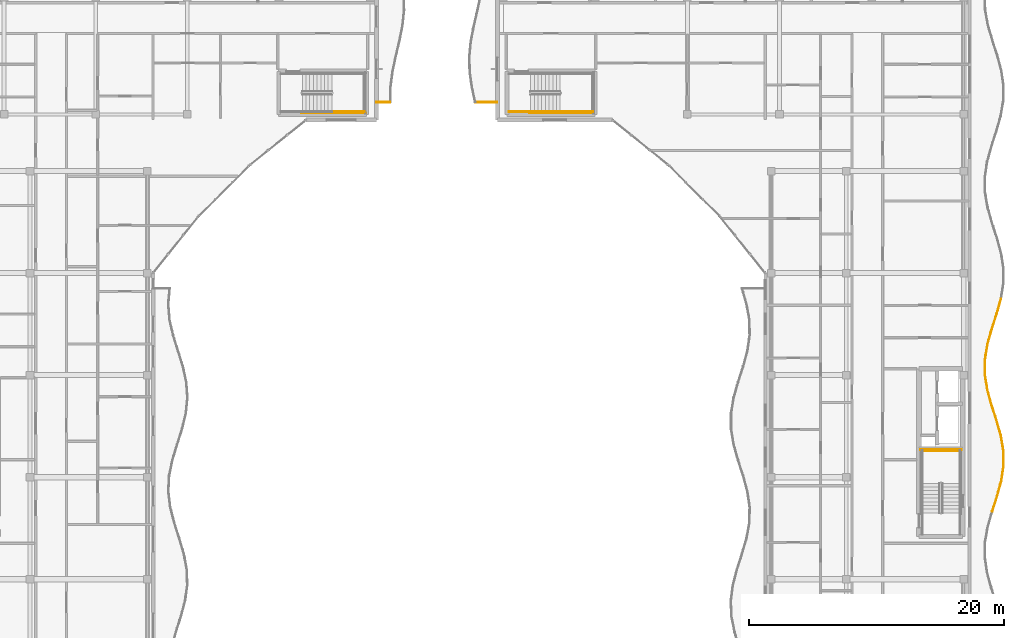
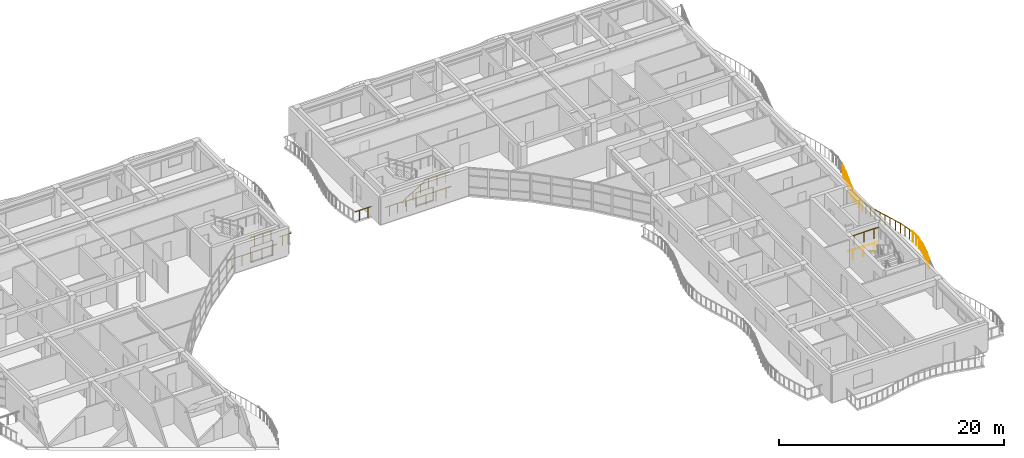
# One storey, part 72 of 76: 24 railings.
"""IFC4 building model written with IfcOpenShell, lengths in metres."""

from ifc_helpers import new_model, si_unit, direction, frame, origin, origin_2d, place, context, subcontext, project, spatial, circle, extrude, material, type_object, element, save


model = new_model("IFC4")

# Units and contexts
model_context = context("Model", 3, precision=1e-05, world=origin(), true_north=direction((0.0, 1.0)))
body_context = subcontext(model_context, "Body", "Model", "MODEL_VIEW")
ifc_project = project(units=[si_unit("LENGTHUNIT", "METRE"), si_unit("AREAUNIT", "SQUARE_METRE"), si_unit("VOLUMEUNIT", "CUBIC_METRE"), si_unit("PLANEANGLEUNIT", "RADIAN"), si_unit("MASSUNIT", "GRAM", prefix="KILO")], contexts=[model_context])

# Site, building, storey
site_placement = place(None, origin())
site = spatial("IfcSite", under=ifc_project, at=site_placement, CompositionType="ELEMENT")
building_placement = place(site_placement, origin())
building = spatial("IfcBuilding", under=site, at=building_placement, Name="Keldmere Railside Commons", CompositionType="ELEMENT")
storey_placement = place(building_placement, frame((0.0, 0.0, 13.760009765625)))
storey = spatial("IfcBuildingStorey", under=building, at=storey_placement, Name="L04", CompositionType="ELEMENT", Elevation=13.760009765625)

# Railings
ifc_material = material(Name="Steel F-24 (S235)", Category="steel")
railing_type_1 = type_object("IfcRailingType", Name="Balcony & Terrace Steel Balustrade 1100", PredefinedType="BALUSTRADE", material=ifc_material)
railing_1_placement = place(storey_placement, frame((137.5, 101.39990234375, 0.0)))
element("IfcRailing", 1, at=railing_1_placement, inside=storey, type_object=railing_type_1, Name="GR-1 GRD-L04-2329", PredefinedType="BALUSTRADE", context=body_context, shape_type="SweptSolid", body=[
    extrude(circle(Radius=0.02392578125, at=origin_2d()), frame((0.0, 0.0, 1.076171875), z_axis=(1.0, 0.0, 0.0), x_axis=(0.0, 1.0, 0.0)), (0.0, 0.0, 1.0), 1.1123046875),
    extrude(circle(Radius=0.02099609375, at=origin_2d()), frame((0.278076171875, 0.0, 0.0)), (0.0, 0.0, 1.0), 1.048095703125),
    extrude(circle(Radius=0.02099609375, at=origin_2d()), frame((0.834228515625, 0.0, 0.0)), (0.0, 0.0, 1.0), 1.048095703125),
])
railing_2_placement = place(storey_placement, frame((185.788818359375, 69.316650390625, 0.0)))
element("IfcRailing", 2, at=railing_2_placement, inside=storey, type_object=railing_type_1, Name="GR-1 GRD-L04-3623", PredefinedType="BALUSTRADE", context=body_context, shape_type="SweptSolid", body=[
    extrude(circle(Radius=0.02392578125, at=origin_2d()), frame((0.0, 0.0, 1.076171875), z_axis=(0.307441346299, 0.951567033154, 0.0), x_axis=(-0.951567033154, 0.307441346299, 0.0)), (0.0, 0.0, 1.0), 1.252197265625),
    extrude(circle(Radius=0.02099609375, at=origin_2d()), frame((0.09619140625, 0.2978515625, 0.0)), (0.0, 0.0, 1.0), 1.048095703125),
    extrude(circle(Radius=0.02099609375, at=origin_2d()), frame((0.288818359375, 0.893798828125, 0.0)), (0.0, 0.0, 1.0), 1.048095703125),
])
railing_3_placement = place(storey_placement, frame((186.173828125, 70.50830078125, 0.0)))
element("IfcRailing", 3, at=railing_3_placement, inside=storey, type_object=railing_type_1, Name="GR-1 GRD-L04-3624", PredefinedType="BALUSTRADE", context=body_context, shape_type="SweptSolid", body=[
    extrude(circle(Radius=0.02392578125, at=origin_2d()), frame((0.0, 0.0, 1.076171875), z_axis=(0.264003487981, 0.964521725175, 0.0), x_axis=(-0.964521725175, 0.264003487981, 0.0)), (0.0, 0.0, 1.0), 1.235595703125),
    extrude(circle(Radius=0.02099609375, at=origin_2d()), frame((0.08154296875, 0.2978515625, 0.0)), (0.0, 0.0, 1.0), 1.048095703125),
    extrude(circle(Radius=0.02099609375, at=origin_2d()), frame((0.24462890625, 0.893798828125, 0.0)), (0.0, 0.0, 1.0), 1.048095703125),
])
railing_4_placement = place(storey_placement, frame((186.5, 71.699951171875, 0.0)))
element("IfcRailing", 4, at=railing_4_placement, inside=storey, type_object=railing_type_1, Name="GR-1 GRD-L04-3625", PredefinedType="BALUSTRADE", context=body_context, shape_type="SweptSolid", body=[
    extrude(circle(Radius=0.02392578125, at=origin_2d()), frame((0.0, 0.0, 1.076171875), z_axis=(0.149895385862, 0.988701862695, 0.0), x_axis=(-0.988701862695, 0.149895385862, 0.0)), (0.0, 0.0, 1.0), 1.205322265625),
    extrude(circle(Radius=0.02099609375, at=origin_2d()), frame((0.045166015625, 0.2978515625, 0.0)), (0.0, 0.0, 1.0), 1.048095703125),
    extrude(circle(Radius=0.02099609375, at=origin_2d()), frame((0.135498046875, 0.893798828125, 0.0)), (0.0, 0.0, 1.0), 1.048095703125),
])
railing_5_placement = place(storey_placement, frame((186.6806640625, 72.8916015625, 0.0)))
element("IfcRailing", 5, at=railing_5_placement, inside=storey, type_object=railing_type_1, Name="GR-1 GRD-L04-3626", PredefinedType="BALUSTRADE", context=body_context, shape_type="SweptSolid", body=[
    extrude(circle(Radius=0.02392578125, at=origin_2d()), frame((0.0, 0.0, 1.076171875), z_axis=(-0.01044810823, 0.999945417028, 0.0), x_axis=(-0.999945417028, -0.01044810823, 0.0)), (0.0, 0.0, 1.0), 1.191650390625),
    extrude(circle(Radius=0.02099609375, at=origin_2d()), frame((-0.003173828125, 0.2978515625, 0.0)), (0.0, 0.0, 1.0), 1.048095703125),
    extrude(circle(Radius=0.02099609375, at=origin_2d()), frame((-0.00927734375, 0.893798828125, 0.0)), (0.0, 0.0, 1.0), 1.048095703125),
])
railing_6_placement = place(storey_placement, frame((186.668212890625, 74.083251953125, 0.0)))
element("IfcRailing", 6, at=railing_6_placement, inside=storey, type_object=railing_type_1, Name="GR-1 GRD-L04-3627", PredefinedType="BALUSTRADE", context=body_context, shape_type="SweptSolid", body=[
    extrude(circle(Radius=0.02392578125, at=origin_2d()), frame((0.0, 0.0, 1.076171875), z_axis=(-0.167444333148, 0.98588153208, 0.0), x_axis=(-0.98588153208, -0.167444333148, 0.0)), (0.0, 0.0, 1.0), 1.208740234375),
    extrude(circle(Radius=0.02099609375, at=origin_2d()), frame((-0.050537109375, 0.2978515625, 0.0)), (0.0, 0.0, 1.0), 1.048095703125),
    extrude(circle(Radius=0.02099609375, at=origin_2d()), frame((-0.15185546875, 0.893798828125, 0.0)), (0.0, 0.0, 1.0), 1.048095703125),
])
railing_7_placement = place(storey_placement, frame((186.4658203125, 75.27490234375, 0.0)))
element("IfcRailing", 7, at=railing_7_placement, inside=storey, type_object=railing_type_1, Name="GR-1 GRD-L04-3628", PredefinedType="BALUSTRADE", context=body_context, shape_type="SweptSolid", body=[
    extrude(circle(Radius=0.02392578125, at=origin_2d()), frame((0.0, 0.0, 1.076171875), z_axis=(-0.273289521194, 0.961931825862, 0.0), x_axis=(-0.961931825862, -0.273289521194, 0.0)), (0.0, 0.0, 1.0), 1.239013671875),
    extrude(circle(Radius=0.02099609375, at=origin_2d()), frame((-0.084716796875, 0.2978515625, 0.0)), (0.0, 0.0, 1.0), 1.048095703125),
    extrude(circle(Radius=0.02099609375, at=origin_2d()), frame((-0.25390625, 0.89404296875, 0.0)), (0.0, 0.0, 1.0), 1.048095703125),
])
railing_8_placement = place(storey_placement, frame((186.127197265625, 76.466796875, 0.0)))
element("IfcRailing", 8, at=railing_8_placement, inside=storey, type_object=railing_type_1, Name="GR-1 GRD-L04-3629", PredefinedType="BALUSTRADE", context=body_context, shape_type="SweptSolid", body=[
    extrude(circle(Radius=0.02392578125, at=origin_2d()), frame((0.0, 0.0, 1.076171875), z_axis=(-0.307851430966, 0.95143444149, 0.0), x_axis=(-0.95143444149, -0.307851430966, 0.0)), (0.0, 0.0, 1.0), 1.252197265625),
    extrude(circle(Radius=0.02099609375, at=origin_2d()), frame((-0.096435546875, 0.2978515625, 0.0)), (0.0, 0.0, 1.0), 1.048095703125),
    extrude(circle(Radius=0.02099609375, at=origin_2d()), frame((-0.2890625, 0.8935546875, 0.0)), (0.0, 0.0, 1.0), 1.048095703125),
])
railing_9_placement = place(storey_placement, frame((185.74169921875, 77.658203125, 0.0)))
element("IfcRailing", 9, at=railing_9_placement, inside=storey, type_object=railing_type_1, Name="GR-1 GRD-L04-3630", PredefinedType="BALUSTRADE", context=body_context, shape_type="SweptSolid", body=[
    extrude(circle(Radius=0.02392578125, at=origin_2d()), frame((0.0, 0.0, 1.076171875), z_axis=(-0.267073694116, 0.963676108405, 0.0), x_axis=(-0.963676108405, -0.267073694116, 0.0)), (0.0, 0.0, 1.0), 1.23681640625),
    extrude(circle(Radius=0.02099609375, at=origin_2d()), frame((-0.08251953125, 0.2978515625, 0.0)), (0.0, 0.0, 1.0), 1.048095703125),
    extrude(circle(Radius=0.02099609375, at=origin_2d()), frame((-0.247802734375, 0.89404296875, 0.0)), (0.0, 0.0, 1.0), 1.048095703125),
])
railing_10_placement = place(storey_placement, frame((185.411376953125, 78.85009765625, 0.0)))
element("IfcRailing", 10, at=railing_10_placement, inside=storey, type_object=railing_type_1, Name="GR-1 GRD-L04-3631", PredefinedType="BALUSTRADE", context=body_context, shape_type="SweptSolid", body=[
    extrude(circle(Radius=0.02392578125, at=origin_2d()), frame((0.0, 0.0, 1.076171875), z_axis=(-0.156024924063, 0.987753118482, 0.0), x_axis=(-0.987753118482, -0.156024924063, 0.0)), (0.0, 0.0, 1.0), 1.20654296875),
    extrude(circle(Radius=0.02099609375, at=origin_2d()), frame((-0.047119140625, 0.2978515625, 0.0)), (0.0, 0.0, 1.0), 1.048095703125),
    extrude(circle(Radius=0.02099609375, at=origin_2d()), frame((-0.14111328125, 0.893798828125, 0.0)), (0.0, 0.0, 1.0), 1.048095703125),
])
railing_11_placement = place(storey_placement, frame((185.22314453125, 80.041748046875, 0.0)))
element("IfcRailing", 11, at=railing_11_placement, inside=storey, type_object=railing_type_1, Name="GR-1 GRD-L04-3632", PredefinedType="BALUSTRADE", context=body_context, shape_type="SweptSolid", body=[
    extrude(circle(Radius=0.02392578125, at=origin_2d()), frame((0.0, 0.0, 1.076171875), z_axis=(0.003482871725, 0.999993934784, 0.0), x_axis=(-0.999993934784, 0.003482871725, 0.0)), (0.0, 0.0, 1.0), 1.191650390625),
    extrude(circle(Radius=0.02099609375, at=origin_2d()), frame((0.0009765625, 0.2978515625, 0.0)), (0.0, 0.0, 1.0), 1.048095703125),
    extrude(circle(Radius=0.02099609375, at=origin_2d()), frame((0.003173828125, 0.893798828125, 0.0)), (0.0, 0.0, 1.0), 1.048095703125),
])
railing_12_placement = place(storey_placement, frame((185.227294921875, 81.2333984375, 0.0)))
element("IfcRailing", 12, at=railing_12_placement, inside=storey, type_object=railing_type_1, Name="GR-1 GRD-L04-3633", PredefinedType="BALUSTRADE", context=body_context, shape_type="SweptSolid", body=[
    extrude(circle(Radius=0.02392578125, at=origin_2d()), frame((0.0, 0.0, 1.076171875), z_axis=(0.161545851432, 0.986865207556, 0.0), x_axis=(-0.986865207556, 0.161545851432, 0.0)), (0.0, 0.0, 1.0), 1.20751953125),
    extrude(circle(Radius=0.02099609375, at=origin_2d()), frame((0.048828125, 0.2978515625, 0.0)), (0.0, 0.0, 1.0), 1.048095703125),
    extrude(circle(Radius=0.02099609375, at=origin_2d()), frame((0.146240234375, 0.893798828125, 0.0)), (0.0, 0.0, 1.0), 1.048095703125),
])
railing_13_placement = place(storey_placement, frame((185.42236328125, 82.425048828125, 0.0)))
element("IfcRailing", 13, at=railing_13_placement, inside=storey, type_object=railing_type_1, Name="GR-1 GRD-L04-3634", PredefinedType="BALUSTRADE", context=body_context, shape_type="SweptSolid", body=[
    extrude(circle(Radius=0.02392578125, at=origin_2d()), frame((0.0, 0.0, 1.076171875), z_axis=(0.270237143096, 0.9627937923, 0.0), x_axis=(-0.9627937923, 0.270237143096, 0.0)), (0.0, 0.0, 1.0), 1.23779296875),
    extrude(circle(Radius=0.02099609375, at=origin_2d()), frame((0.08349609375, 0.2978515625, 0.0)), (0.0, 0.0, 1.0), 1.048095703125),
    extrude(circle(Radius=0.02099609375, at=origin_2d()), frame((0.2509765625, 0.893798828125, 0.0)), (0.0, 0.0, 1.0), 1.048095703125),
])
railing_14_placement = place(storey_placement, frame((185.7568359375, 83.61669921875, 0.0)))
element("IfcRailing", 14, at=railing_14_placement, inside=storey, type_object=railing_type_1, Name="GR-1 GRD-L04-3635", PredefinedType="BALUSTRADE", context=body_context, shape_type="SweptSolid", body=[
    extrude(circle(Radius=0.02392578125, at=origin_2d()), frame((0.0, 0.0, 1.076171875), z_axis=(0.307970782238, 0.951395815256, 0.0), x_axis=(-0.951395815256, 0.307970782238, 0.0)), (0.0, 0.0, 1.0), 1.25244140625),
    extrude(circle(Radius=0.02099609375, at=origin_2d()), frame((0.096435546875, 0.2978515625, 0.0)), (0.0, 0.0, 1.0), 1.048095703125),
    extrude(circle(Radius=0.02099609375, at=origin_2d()), frame((0.289306640625, 0.893798828125, 0.0)), (0.0, 0.0, 1.0), 1.048095703125),
])
railing_15_placement = place(storey_placement, frame((186.142578125, 84.808349609375, 0.0)))
element("IfcRailing", 15, at=railing_15_placement, inside=storey, type_object=railing_type_1, Name="GR-1 GRD-L04-3636", PredefinedType="BALUSTRADE", context=body_context, shape_type="SweptSolid", body=[
    extrude(circle(Radius=0.02392578125, at=origin_2d()), frame((0.0, 0.0, 1.076171875), z_axis=(0.27041997682, 0.962742455767, 0.0), x_axis=(-0.962742455767, 0.27041997682, 0.0)), (0.0, 0.0, 1.0), 1.23779296875),
    extrude(circle(Radius=0.02099609375, at=origin_2d()), frame((0.083740234375, 0.2978515625, 0.0)), (0.0, 0.0, 1.0), 1.048095703125),
    extrude(circle(Radius=0.02099609375, at=origin_2d()), frame((0.2509765625, 0.893798828125, 0.0)), (0.0, 0.0, 1.0), 1.048095703125),
])
railing_16_placement = place(storey_placement, frame((147.0, 101.39990234375, 0.0)))
element("IfcRailing", 16, at=railing_16_placement, inside=storey, type_object=railing_type_1, Name="GR-1 GRD-L04-3662", PredefinedType="BALUSTRADE", context=body_context, shape_type="SweptSolid", body=[
    extrude(circle(Radius=0.02392578125, at=origin_2d()), frame((0.0, 0.0, 1.076171875), z_axis=(-1.0, 0.0, 0.0), x_axis=(0.0, -1.0, 0.0)), (0.0, 0.0, 1.0), 1.7412109375),
    extrude(circle(Radius=0.02099609375, at=origin_2d()), frame((-0.435302734375, 0.0, 0.0)), (0.0, 0.0, 1.0), 1.048095703125),
    extrude(circle(Radius=0.02099609375, at=origin_2d()), frame((-1.305908203125, 0.0, 0.0)), (0.0, 0.0, 1.0), 1.048095703125),
])
railing_type_2 = type_object("IfcRailingType", Name="Stair Well Steel Guardrail 1100", PredefinedType="BALUSTRADE", material=ifc_material)
railing_17_placement = place(storey_placement, frame((134.02001953125, 100.64990234375, 1.60009765625)))
element("IfcRailing", 17, at=railing_17_placement, inside=storey, type_object=railing_type_2, Name="L04 ST-B2 stair guard 3", PredefinedType="BALUSTRADE", context=body_context, shape_type="SweptSolid", body=[
    extrude(circle(Radius=0.02392578125, at=origin_2d()), frame((0.0, 0.0, 1.076171875), z_axis=(1.0, 0.0, 0.0), x_axis=(0.0, 1.0, 0.0)), (0.0, 0.0, 1.0), 2.580078125),
    extrude(circle(Radius=0.02099609375, at=origin_2d()), frame((0.429931640625, 0.0, 0.0)), (0.0, 0.0, 1.0), 1.048095703125),
    extrude(circle(Radius=0.02099609375, at=origin_2d()), frame((1.2900390625, 0.0, 0.0)), (0.0, 0.0, 1.0), 1.048095703125),
    extrude(circle(Radius=0.02099609375, at=origin_2d()), frame((2.150146484375, 0.0, 0.0)), (0.0, 0.0, 1.0), 1.048095703125),
])
railing_18_placement = place(storey_placement, frame((131.60009765625, 100.550048828125, 0.0)))
element("IfcRailing", 18, at=railing_18_placement, inside=storey, type_object=railing_type_2, Name="L04 ST-B2 stair guard 10", PredefinedType="BALUSTRADE", context=body_context, shape_type="SweptSolid", body=[
    extrude(circle(Radius=0.02392578125, at=origin_2d()), frame((0.0, 0.0, 1.076171875), z_axis=(1.0, 0.0, 0.0), x_axis=(0.0, 1.0, 0.0)), (0.0, 0.0, 1.0), 5.099853515625),
    extrude(circle(Radius=0.02099609375, at=origin_2d()), frame((0.510009765625, 0.0, 0.0)), (0.0, 0.0, 1.0), 1.048095703125),
    extrude(circle(Radius=0.02099609375, at=origin_2d()), frame((1.530029296875, 0.0, 0.0)), (0.0, 0.0, 1.0), 1.048095703125),
    extrude(circle(Radius=0.02099609375, at=origin_2d()), frame((2.5498046875, 0.0, 0.0)), (0.0, 0.0, 1.0), 1.048095703125),
    extrude(circle(Radius=0.02099609375, at=origin_2d()), frame((3.56982421875, 0.0, 0.0)), (0.0, 0.0, 1.0), 1.048095703125),
    extrude(circle(Radius=0.02099609375, at=origin_2d()), frame((4.58984375, 0.0, 0.0)), (0.0, 0.0, 1.0), 1.048095703125),
])
railing_19_placement = place(storey_placement, frame((183.300048828125, 74.050048828125, 1.60009765625)))
element("IfcRailing", 19, at=railing_19_placement, inside=storey, type_object=railing_type_2, Name="L04 ST-A1 stair guard 5", PredefinedType="BALUSTRADE", context=body_context, shape_type="SweptSolid", body=[
    extrude(circle(Radius=0.02392578125, at=origin_2d()), frame((0.0, 0.0, 1.076171875), z_axis=(-1.0, 0.0, 0.0), x_axis=(0.0, -1.0, 0.0)), (0.0, 0.0, 1.0), 3.050048828125),
    extrude(circle(Radius=0.02099609375, at=origin_2d()), frame((-0.50830078125, 0.0, 0.0)), (0.0, 0.0, 1.0), 1.048095703125),
    extrude(circle(Radius=0.02099609375, at=origin_2d()), frame((-1.52490234375, 0.0, 0.0)), (0.0, 0.0, 1.0), 1.048095703125),
    extrude(circle(Radius=0.02099609375, at=origin_2d()), frame((-2.541748046875, 0.0, 0.0)), (0.0, 0.0, 1.0), 1.048095703125),
])
railing_20_placement = place(storey_placement, frame((183.39990234375, 74.14990234375, 0.0)))
element("IfcRailing", 20, at=railing_20_placement, inside=storey, type_object=railing_type_2, Name="L04 ST-A1 stair guard 12", PredefinedType="BALUSTRADE", context=body_context, shape_type="SweptSolid", body=[
    extrude(circle(Radius=0.02392578125, at=origin_2d()), frame((0.0, 0.0, 1.076171875), z_axis=(-1.0, 0.0, 0.0), x_axis=(0.0, -1.0, 0.0)), (0.0, 0.0, 1.0), 3.25),
    extrude(circle(Radius=0.02099609375, at=origin_2d()), frame((-0.541748046875, 0.0, 0.0)), (0.0, 0.0, 1.0), 1.048095703125),
    extrude(circle(Radius=0.02099609375, at=origin_2d()), frame((-1.625, 0.0, 0.0)), (0.0, 0.0, 1.0), 1.048095703125),
    extrude(circle(Radius=0.02099609375, at=origin_2d()), frame((-2.708251953125, 0.0, 0.0)), (0.0, 0.0, 1.0), 1.048095703125),
])
railing_21_placement = place(storey_placement, frame((151.919921875, 100.64990234375, 1.60009765625)))
element("IfcRailing", 21, at=railing_21_placement, inside=storey, type_object=railing_type_2, Name="L04 ST-A2 stair guard 3", PredefinedType="BALUSTRADE", context=body_context, shape_type="SweptSolid", body=[
    extrude(circle(Radius=0.02392578125, at=origin_2d()), frame((0.0, 0.0, 1.076171875), z_axis=(1.0, 0.0, 0.0), x_axis=(0.0, 1.0, 0.0)), (0.0, 0.0, 1.0), 2.580078125),
    extrude(circle(Radius=0.02099609375, at=origin_2d()), frame((0.429931640625, 0.0, 0.0)), (0.0, 0.0, 1.0), 1.048095703125),
    extrude(circle(Radius=0.02099609375, at=origin_2d()), frame((1.2900390625, 0.0, 0.0)), (0.0, 0.0, 1.0), 1.048095703125),
    extrude(circle(Radius=0.02099609375, at=origin_2d()), frame((2.150146484375, 0.0, 0.0)), (0.0, 0.0, 1.0), 1.048095703125),
])
railing_22_placement = place(storey_placement, frame((147.89990234375, 100.64990234375, 0.0)))
element("IfcRailing", 22, at=railing_22_placement, inside=storey, type_object=railing_type_2, Name="L04 ST-A2 stair guard 8", PredefinedType="BALUSTRADE", context=body_context, shape_type="SweptSolid", body=[
    extrude(circle(Radius=0.02392578125, at=origin_2d()), frame((0.0, 0.0, 1.076171875), z_axis=(1.0, 0.0, 0.0), x_axis=(0.0, 1.0, 0.0)), (0.0, 0.0, 1.0), 1.7001953125),
    extrude(circle(Radius=0.02099609375, at=origin_2d()), frame((0.425048828125, 0.0, 0.0)), (0.0, 0.0, 1.0), 1.048095703125),
    extrude(circle(Radius=0.02099609375, at=origin_2d()), frame((1.275146484375, 0.0, 0.0)), (0.0, 0.0, 1.0), 1.048095703125),
])
railing_23_placement = place(storey_placement, frame((149.5, 100.550048828125, 0.0)))
element("IfcRailing", 23, at=railing_23_placement, inside=storey, type_object=railing_type_2, Name="L04 ST-A2 stair guard 10", PredefinedType="BALUSTRADE", context=body_context, shape_type="SweptSolid", body=[
    extrude(circle(Radius=0.02392578125, at=origin_2d()), frame((0.0, 0.0, 1.076171875), z_axis=(1.0, 0.0, 0.0), x_axis=(0.0, 1.0, 0.0)), (0.0, 0.0, 1.0), 5.10009765625),
    extrude(circle(Radius=0.02099609375, at=origin_2d()), frame((0.510009765625, 0.0, 0.0)), (0.0, 0.0, 1.0), 1.048095703125),
    extrude(circle(Radius=0.02099609375, at=origin_2d()), frame((1.530029296875, 0.0, 0.0)), (0.0, 0.0, 1.0), 1.048095703125),
    extrude(circle(Radius=0.02099609375, at=origin_2d()), frame((2.550048828125, 0.0, 0.0)), (0.0, 0.0, 1.0), 1.048095703125),
    extrude(circle(Radius=0.02099609375, at=origin_2d()), frame((3.570068359375, 0.0, 0.0)), (0.0, 0.0, 1.0), 1.048095703125),
    extrude(circle(Radius=0.02099609375, at=origin_2d()), frame((4.590087890625, 0.0, 0.0)), (0.0, 0.0, 1.0), 1.048095703125),
])
railing_type_3 = type_object("IfcRailingType", Name="Wall-Mounted Tubular Steel Handrail 900", PredefinedType="HANDRAIL", material=ifc_material)
railing_24_placement = place(storey_placement, frame((149.60009765625, 100.64990234375, 0.177734375)))
element("IfcRailing", 24, at=railing_24_placement, inside=storey, type_object=railing_type_3, Name="L04 ST-A2 stair handrail 1", PredefinedType="HANDRAIL", context=body_context, shape_type="SweptSolid", body=[
    extrude(circle(Radius=0.02392578125, at=origin_2d()), frame((0.0, 0.0, 0.8759765625), z_axis=(0.852513557019, 0.0, 0.522705112944), x_axis=(0.0, 1.0, 0.0)), (0.0, 0.0, 1.0), 2.72119140625),
    extrude(circle(Radius=0.02099609375, at=origin_2d()), frame((0.38671875, 0.0, 0.237060546875)), (0.0, 0.0, 1.0), 0.847900390625),
    extrude(circle(Radius=0.02099609375, at=origin_2d()), frame((1.159912109375, 0.0, 0.711181640625)), (0.0, 0.0, 1.0), 0.847900390625),
    extrude(circle(Radius=0.02099609375, at=origin_2d()), frame((1.93310546875, 0.0, 1.185302734375)), (0.0, 0.0, 1.0), 0.847900390625),
])

save(model, "model.ifc")
